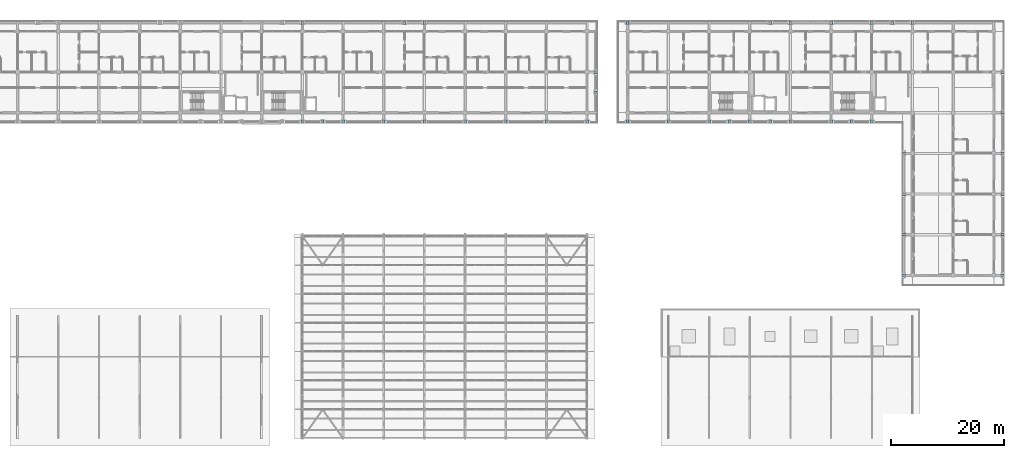
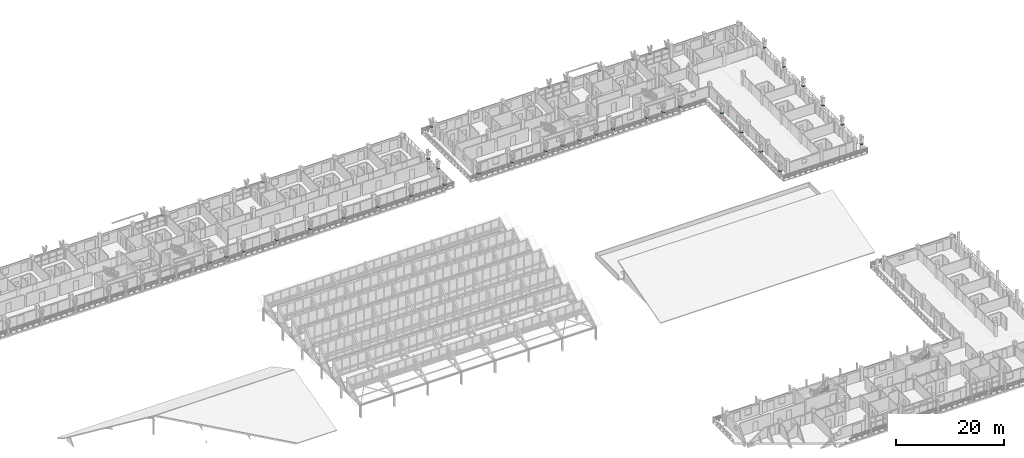
# One storey, part 112 of 157: 41 plates.
"""IFC4 building model written with IfcOpenShell, lengths in metres."""

import ifcopenshell
import ifcopenshell.guid

model = None  # the IFC model being written
_history = None  # IfcOwnerHistory: only IFC2X3 demands one
_inside = {}  # id of a spatial element -> (the spatial element, [elements in it])
_under = {}  # id of a project, library or spatial element -> (it, [spatial elements below it])
_declared = {}  # id of a project -> (the project, [libraries it declares])
_typed = {}  # id of a type object -> (the type object, [elements of that type])
_made_of = {}  # id of a material, layer set ... -> (it, [elements and type objects made of it])


def new_model(schema):
    """Start an empty IFC model of exactly this schema.

    Asked for "IFC4X3", IfcOpenShell would pick the latest addendum, in which some entities
    have other attributes; the version numbers below select the first issue.
    IFC2X3 requires an IfcOwnerHistory on every rooted entity: one is made here for all.
    """
    global model, _history
    if schema == "IFC4X3":
        model = ifcopenshell.file(schema_version=(4, 3, 0, 0))
    else:
        model = ifcopenshell.file(schema=schema)
    _inside.clear()
    _under.clear()
    _declared.clear()
    _typed.clear()
    _made_of.clear()
    _history = None
    if model.schema == "IFC2X3":
        org = make("IfcOrganization", Name="unknown")
        user = make(
            "IfcPersonAndOrganization",
            ThePerson=make("IfcPerson", FamilyName="unknown"),
            TheOrganization=org,
        )
        app = make(
            "IfcApplication",
            ApplicationDeveloper=org,
            Version="unknown",
            ApplicationFullName="unknown",
            ApplicationIdentifier="unknown",
        )
        _history = make(
            "IfcOwnerHistory",
            OwningUser=user,
            OwningApplication=app,
            ChangeAction="ADDED",
            CreationDate=0,
        )
    return model


def make(cls, **values):
    """One entity of the class cls with the attributes given. An attribute that is None is left unset."""
    return model.create_entity(
        cls, **{name: value for name, value in values.items() if value is not None}
    )


def rooted(cls, **values):
    """An entity with a GlobalId (a new one), such as an element, a storey or a relation."""
    return make(cls, GlobalId=ifcopenshell.guid.new(), OwnerHistory=_history, **values)


def si_unit(unit_type, name, prefix=None):
    """IfcSIUnit, for example si_unit("LENGTHUNIT", "METRE", prefix="MILLI")."""
    return make("IfcSIUnit", UnitType=unit_type, Prefix=prefix, Name=name)


def assignment(units):
    """IfcUnitAssignment: the units of a project."""
    return None if units is None else make("IfcUnitAssignment", Units=units)


def point(xyz):
    """IfcCartesianPoint."""
    return None if xyz is None else make("IfcCartesianPoint", Coordinates=xyz)


def direction(xyz):
    """IfcDirection."""
    return None if xyz is None else make("IfcDirection", DirectionRatios=xyz)


def frame(location, z_axis=None, x_axis=None):
    """IfcAxis2Placement3D, a coordinate frame: its origin and axes. An axis left out is left unset."""
    return make(
        "IfcAxis2Placement3D",
        Location=point(location),
        Axis=direction(z_axis),
        RefDirection=direction(x_axis),
    )


def frame_2d(location, x_axis=None):
    """IfcAxis2Placement2D, a coordinate frame in the plane: its origin and x axis."""
    return make(
        "IfcAxis2Placement2D", Location=point(location), RefDirection=direction(x_axis)
    )


def origin():
    """The frame at (0, 0, 0) with its axes left unset."""
    return frame((0.0, 0.0, 0.0))


def origin_2d():
    """The frame at (0, 0) in the plane with its x axis left unset."""
    return frame_2d((0.0, 0.0))


def place(relative_to, where):
    """IfcLocalPlacement: puts the frame where relative to a parent placement (None: the world)."""
    return make(
        "IfcLocalPlacement", PlacementRelTo=relative_to, RelativePlacement=where
    )


def context(
    kind, dimensions, precision=None, world=None, true_north=None, identifier=None
):
    """IfcGeometricRepresentationContext, for example the 3D "Model" context."""
    return make(
        "IfcGeometricRepresentationContext",
        ContextIdentifier=identifier,
        ContextType=kind,
        CoordinateSpaceDimension=dimensions,
        Precision=precision,
        WorldCoordinateSystem=world,
        TrueNorth=true_north,
    )


def subcontext(parent, identifier, kind, view, scale=None):
    """IfcGeometricRepresentationSubContext, for example "Body" below "Model"."""
    return make(
        "IfcGeometricRepresentationSubContext",
        ContextIdentifier=identifier,
        ContextType=kind,
        ParentContext=parent,
        TargetScale=scale,
        TargetView=view,
    )


def project(units=None, contexts=None):
    """IfcProject with its units and contexts."""
    return rooted(
        "IfcProject",
        Name="project",
        RepresentationContexts=contexts,
        UnitsInContext=assignment(units),
    )


def spatial(cls, under=None, at=None, **own):
    """A site, building, storey or space (cls), placed at a placement, below another one or the project."""
    s = rooted(cls, ObjectPlacement=at, **own)
    if under is not None:
        _under.setdefault(under.id(), (under, []))[1].append(s)
    return s


def profile(cls, at=None, kind="AREA", **sizes):
    """A parametric profile (cls). Its sizes go by their IFC names, for example OverallWidth=200.0."""
    return make(cls, ProfileType=kind, Position=at, **sizes)


def rectangle(**sizes):
    """IfcRectangleProfileDef."""
    return profile("IfcRectangleProfileDef", **sizes)


def extrude(swept, where, along, depth):
    """IfcExtrudedAreaSolid: the profile swept, set in the frame where, extruded along a direction by depth."""
    return make(
        "IfcExtrudedAreaSolid",
        SweptArea=swept,
        Position=where,
        ExtrudedDirection=direction(along),
        Depth=depth,
    )


def shape(context_of_items, identifier, shape_type, items):
    """IfcShapeRepresentation: the items that make up one representation, for example the "Body"."""
    return make(
        "IfcShapeRepresentation",
        ContextOfItems=context_of_items,
        RepresentationIdentifier=identifier,
        RepresentationType=shape_type,
        Items=items,
    )


def material(Name=None, Category=None):
    """IfcMaterial."""
    return make("IfcMaterial", Name=Name, Category=Category)


def layer(
    of_material, thickness, ventilated=None, Name=None, Category=None, Priority=None
):
    """IfcMaterialLayer: one layer of a wall or slab, of a material (None: an air gap)."""
    return make(
        "IfcMaterialLayer",
        Material=of_material,
        LayerThickness=thickness,
        IsVentilated=ventilated,
        Name=Name,
        Category=Category,
        Priority=Priority,
    )


def layer_set(layers, Name=None):
    """IfcMaterialLayerSet."""
    return make("IfcMaterialLayerSet", MaterialLayers=layers, LayerSetName=Name)


def made_of(thing, what):
    """Note that an element or type object is made of a material, layer set ...; save() writes the relation."""
    if what is not None:
        _made_of.setdefault(what.id(), (what, []))[1].append(thing)
    return thing


def type_object(cls, material=None, **own):
    """A type object (cls), such as IfcWallType, which elements share."""
    return made_of(rooted(cls, **own), material)


def element(
    cls,
    number,
    at=None,
    inside=None,
    cuts=None,
    type_object=None,
    material=None,
    context=None,
    identifier="Body",
    shape_type=None,
    held_by="IfcProductDefinitionShape",
    body=None,
    shapes=None,
    **own,
):
    """One element of the class cls, such as IfcWall. Its Tag is "e" and its number.

    at: its placement. inside: the storey or other place that contains it. cuts: it is an
    opening in that element (IfcRelVoidsElement). A single representation is given by context,
    identifier, shape_type and body (its items); several are given by shapes. held_by: the class
    of the entity that holds the representations. save() writes the other relations.
    """
    e = rooted(cls, Tag="e%d" % number, ObjectPlacement=at, **own)
    if body is not None:
        shapes = [shape(context, identifier, shape_type, body)]
    if shapes is not None:
        e.Representation = make(held_by, Representations=shapes)
    if inside is not None:
        _inside.setdefault(inside.id(), (inside, []))[1].append(e)
    if cuts is not None:
        rooted(
            "IfcRelVoidsElement", RelatingBuildingElement=cuts, RelatedOpeningElement=e
        )
    if type_object is not None:
        _typed.setdefault(type_object.id(), (type_object, []))[1].append(e)
    return made_of(e, material)


def aggregate(whole, parts):
    """IfcRelAggregates: a whole, such as a stair, and the parts it consists of."""
    return rooted("IfcRelAggregates", RelatingObject=whole, RelatedObjects=parts)


def save(model, path):
    """Write the relations noted so far, then the file.

    IfcRelAggregates (storeys below a building ...), IfcRelContainedInSpatialStructure (elements
    in a storey), IfcRelDefinesByType, IfcRelAssociatesMaterial and IfcRelDeclares: one each for
    every whole, place, type object, material and project.
    """
    for whole, parts in _under.values():
        aggregate(whole, parts)
    for where, things in _inside.values():
        rooted(
            "IfcRelContainedInSpatialStructure",
            RelatedElements=things,
            RelatingStructure=where,
        )
    for kind, things in _typed.values():
        rooted("IfcRelDefinesByType", RelatedObjects=things, RelatingType=kind)
    for what, things in _made_of.values():
        rooted("IfcRelAssociatesMaterial", RelatedObjects=things, RelatingMaterial=what)
    for by, libraries in _declared.values():
        rooted("IfcRelDeclares", RelatingContext=by, RelatedDefinitions=libraries)
    model.write(path)


model = new_model("IFC4")

# Units and contexts
model_context = context("Model", 3, precision=1e-05, world=origin(), true_north=direction((0.0, 1.0)))
body_context = subcontext(model_context, "Body", "Model", "MODEL_VIEW")
ifc_project = project(units=[si_unit("LENGTHUNIT", "METRE"), si_unit("AREAUNIT", "SQUARE_METRE"), si_unit("VOLUMEUNIT", "CUBIC_METRE"), si_unit("PLANEANGLEUNIT", "RADIAN"), si_unit("MASSUNIT", "GRAM", prefix="KILO")], contexts=[model_context])

# Site, building, storey
site_placement = place(None, origin())
site = spatial("IfcSite", under=ifc_project, at=site_placement, CompositionType="ELEMENT")
building_placement = place(site_placement, origin())
building = spatial("IfcBuilding", under=site, at=building_placement, Name="Suanplinth Sawtooth Commons", CompositionType="ELEMENT")
storey_placement = place(building_placement, frame((0.0, 0.0, 9.0)))
storey = spatial("IfcBuildingStorey", under=building, at=storey_placement, Name="L02", CompositionType="ELEMENT", Elevation=9.0)

# Plates
ifc_material = material(Name="Pigmented precast concrete C40/50", Category="concrete")
ifc_layer = layer(ifc_material, 0.06005859375, Name="Precast Y-blade bifurcation node plate 60mm")
ifc_layer_set = layer_set([ifc_layer], Name="Pigmented precast concrete C40/50")
plate_type = type_object("IfcPlateType", Name="PL-04", PredefinedType="USERDEFINED", material=ifc_layer_set)
for number, where, z_axis, x_axis, name in (
    (1, (64.800048828125, 123.919921875, 1.119873046875), (0.0, 0.0, 1.0), (1.0, 0.0, 0.0), "Y-Blade Node Plate L02-A-N-07"),
    (2, (82.800048828125, 123.919921875, 1.119873046875), (0.0, 0.0, 1.0), (1.0, 0.0, 0.0), "Y-Blade Node Plate L02-A-N-08"),
    (3, (86.39990234375, 123.919921875, 1.119873046875), (0.0, 0.0, 1.0), (1.0, 0.0, 0.0), "Y-Blade Node Plate L02-A-N-09"),
    (4, (64.800048828125, 106.47998046875, 1.119873046875), (0.0, 0.0, 1.0), (1.0, 0.0, 0.0), "Y-Blade Node Plate L02-A-S-22"),
    (5, (68.39990234375, 106.47998046875, 1.119873046875), (0.0, 0.0, 1.0), (1.0, 0.0, 0.0), "Y-Blade Node Plate L02-A-S-23"),
    (6, (72.0, 106.47998046875, 1.119873046875), (0.0, 0.0, 1.0), (1.0, 0.0, 0.0), "Y-Blade Node Plate L02-A-S-24"),
    (7, (79.199951171875, 106.47998046875, 1.119873046875), (0.0, 0.0, 1.0), (1.0, 0.0, 0.0), "Y-Blade Node Plate L02-A-S-25"),
    (8, (86.39990234375, 106.47998046875, 1.119873046875), (0.0, 0.0, 1.0), (1.0, 0.0, 0.0), "Y-Blade Node Plate L02-A-S-26"),
    (9, (93.60009765625, 106.47998046875, 1.119873046875), (0.0, 0.0, 1.0), (1.0, 0.0, 0.0), "Y-Blade Node Plate L02-A-S-27"),
    (10, (100.800048828125, 106.47998046875, 1.119873046875), (0.0, 0.0, 1.0), (1.0, 0.0, 0.0), "Y-Blade Node Plate L02-A-S-28"),
    (11, (108.0, 106.47998046875, 1.119873046875), (0.0, 0.0, 1.0), (1.0, 0.0, 0.0), "Y-Blade Node Plate L02-A-S-29"),
    (12, (115.199951171875, 106.47998046875, 1.119873046875), (0.0, 0.0, 1.0), (1.0, 0.0, 0.0), "Y-Blade Node Plate L02-A-S-30"),
    (13, (116.719970703125, 111.60009765625, 1.119873046875), (0.0, 0.0, 1.0), (0.0, 1.0, 0.0), "Y-Blade Node Plate L02-A-E-33"),
    (14, (116.719970703125, 115.199951171875, 1.119873046875), (0.0, 0.0, 1.0), (0.0, 1.0, 0.0), "Y-Blade Node Plate L02-A-E-34"),
    (15, (122.39990234375, 123.919921875, 1.119873046875), (0.0, 0.0, 1.0), (1.0, 0.0, 0.0), "Y-Blade Node Plate L02-B-N-01"),
    (16, (147.60009765625, 123.919921875, 1.119873046875), (0.0, 0.0, 1.0), (1.0, 0.0, 0.0), "Y-Blade Node Plate L02-B-N-02"),
    (17, (151.199951171875, 123.919921875, 1.119873046875), (0.0, 0.0, 1.0), (1.0, 0.0, 0.0), "Y-Blade Node Plate L02-B-N-03"),
    (18, (158.39990234375, 123.919921875, 1.119873046875), (0.0, 0.0, 1.0), (1.0, 0.0, 0.0), "Y-Blade Node Plate L02-B-N-04"),
    (19, (165.60009765625, 123.919921875, 1.119873046875), (0.0, 0.0, 1.0), (1.0, 0.0, 0.0), "Y-Blade Node Plate L02-B-N-05"),
    (20, (169.199951171875, 123.919921875, 1.119873046875), (0.0, 0.0, 1.0), (1.0, 0.0, 0.0), "Y-Blade Node Plate L02-B-N-06"),
    (21, (172.800048828125, 123.919921875, 1.119873046875), (0.0, 0.0, 1.0), (1.0, 0.0, 0.0), "Y-Blade Node Plate L02-B-N-07"),
    (22, (188.719970703125, 79.199951171875, 1.119873046875), (0.0, 0.0, 1.0), (0.0, 1.0, 0.0), "Y-Blade Node Plate L02-B-E-08"),
    (23, (188.719970703125, 86.39990234375, 1.119873046875), (0.0, 0.0, 1.0), (0.0, 1.0, 0.0), "Y-Blade Node Plate L02-B-E-09"),
    (24, (188.719970703125, 93.60009765625, 1.119873046875), (0.0, 0.0, 1.0), (0.0, 1.0, 0.0), "Y-Blade Node Plate L02-B-E-10"),
    (25, (188.719970703125, 100.800048828125, 1.119873046875), (0.0, 0.0, 1.0), (0.0, 1.0, 0.0), "Y-Blade Node Plate L02-B-E-11"),
    (26, (188.719970703125, 108.0, 1.119873046875), (0.0, 0.0, 1.0), (0.0, 1.0, 0.0), "Y-Blade Node Plate L02-B-E-12"),
    (27, (188.719970703125, 115.199951171875, 1.119873046875), (0.0, 0.0, 1.0), (0.0, 1.0, 0.0), "Y-Blade Node Plate L02-B-E-13"),
    (28, (122.39990234375, 106.47998046875, 1.119873046875), (0.0, 0.0, 1.0), (1.0, 0.0, 0.0), "Y-Blade Node Plate L02-B-SC-14"),
    (29, (129.60009765625, 106.47998046875, 1.119873046875), (0.0, 0.0, 1.0), (1.0, 0.0, 0.0), "Y-Blade Node Plate L02-B-SC-15"),
    (30, (136.800048828125, 106.47998046875, 1.119873046875), (0.0, 0.0, 1.0), (1.0, 0.0, 0.0), "Y-Blade Node Plate L02-B-SC-16"),
    (31, (140.39990234375, 106.47998046875, 1.119873046875), (0.0, 0.0, 1.0), (1.0, 0.0, 0.0), "Y-Blade Node Plate L02-B-SC-17"),
    (32, (144.0, 106.47998046875, 1.119873046875), (0.0, 0.0, 1.0), (1.0, 0.0, 0.0), "Y-Blade Node Plate L02-B-SC-18"),
    (33, (147.60009765625, 106.47998046875, 1.119873046875), (0.0, 0.0, 1.0), (1.0, 0.0, 0.0), "Y-Blade Node Plate L02-B-SC-19"),
    (34, (151.199951171875, 106.47998046875, 1.119873046875), (0.0, 0.0, 1.0), (1.0, 0.0, 0.0), "Y-Blade Node Plate L02-B-SC-20"),
    (35, (158.39990234375, 106.47998046875, 1.119873046875), (0.0, 0.0, 1.0), (1.0, 0.0, 0.0), "Y-Blade Node Plate L02-B-SC-21"),
    (36, (162.0, 106.47998046875, 1.119873046875), (0.0, 0.0, 1.0), (1.0, 0.0, 0.0), "Y-Blade Node Plate L02-B-SC-22"),
    (37, (165.60009765625, 106.47998046875, 1.119873046875), (0.0, 0.0, 1.0), (1.0, 0.0, 0.0), "Y-Blade Node Plate L02-B-SC-23"),
    (38, (171.280029296875, 79.199951171875, 1.119873046875), (0.0, 0.0, 1.0), (0.0, 1.0, 0.0), "Y-Blade Node Plate L02-B-WC-24"),
    (39, (171.280029296875, 86.39990234375, 1.119873046875), (0.0, 0.0, 1.0), (0.0, 1.0, 0.0), "Y-Blade Node Plate L02-B-WC-25"),
    (40, (171.280029296875, 93.60009765625, 1.119873046875), (0.0, 0.0, 1.0), (0.0, 1.0, 0.0), "Y-Blade Node Plate L02-B-WC-26"),
    (41, (171.280029296875, 100.800048828125, 1.119873046875), (0.0, 0.0, 1.0), (0.0, 1.0, 0.0), "Y-Blade Node Plate L02-B-WC-27"),
):
    element("IfcPlate", number, at=place(storey_placement, frame(where, z_axis=z_axis, x_axis=x_axis)), inside=storey, type_object=plate_type, Name=name, ObjectType="GUSSET PLATE", PredefinedType="USERDEFINED", context=body_context, shape_type="SweptSolid", body=[
        extrude(rectangle(XDim=0.43994140625, YDim=0.550048828125, at=origin_2d()), origin(), (0.0, 0.0, 1.0), 0.06005859375),
    ])

save(model, "model.ifc")
